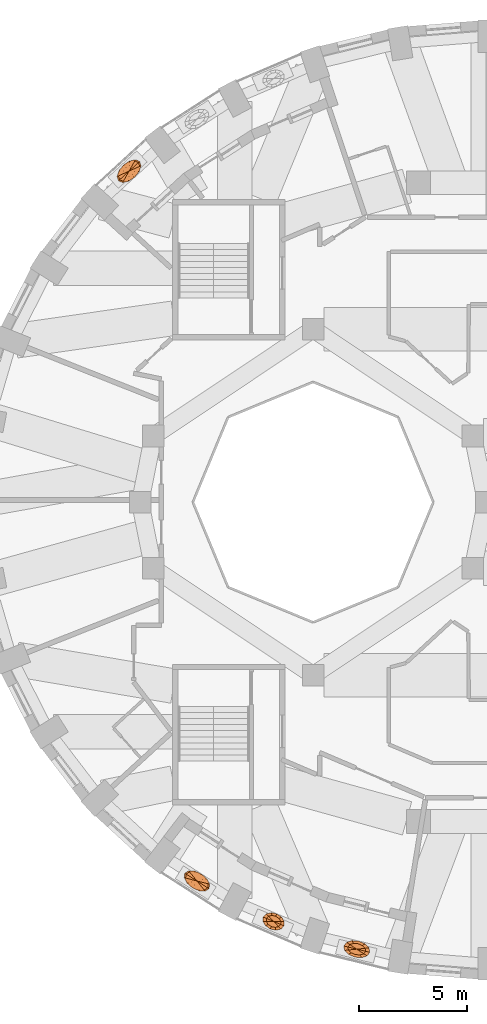
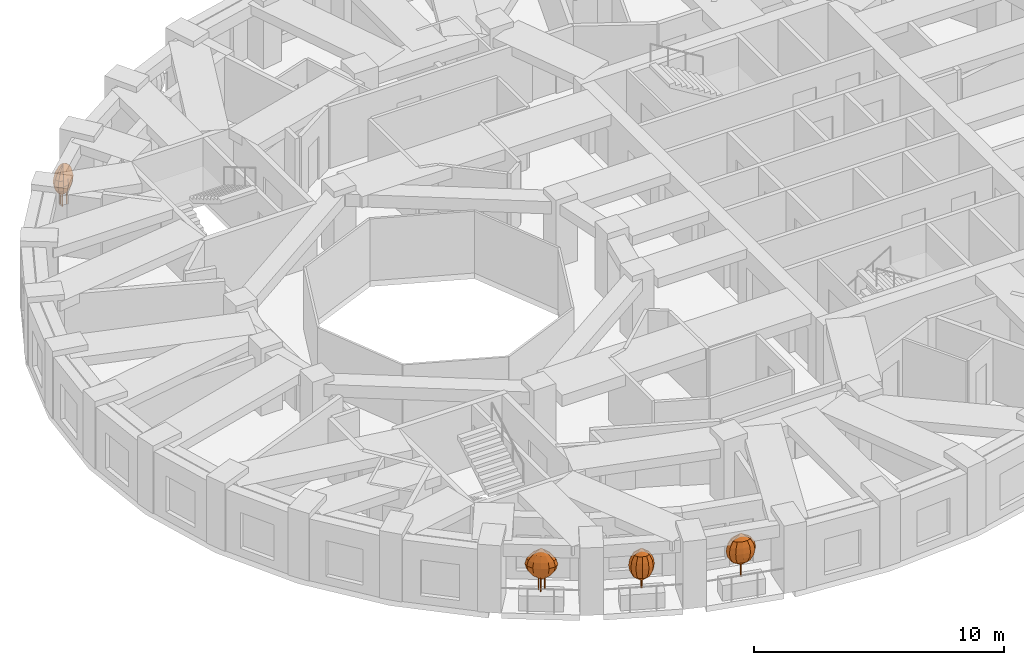
# One storey, part 11 of 12: 4 geographic elements.
"""IFC4 building model written with IfcOpenShell, lengths in metres."""

from ifc_helpers import new_model, si_unit, direction, frame, origin, place, context, subcontext, project, spatial, faceted_brep, material, constituent, constituent_set, type_object, element, save


model = new_model("IFC4")

# Units and contexts
model_context = context("Model", 3, precision=1e-05, world=origin(), true_north=direction((0.0, 1.0)))
body_context = subcontext(model_context, "Body", "Model", "MODEL_VIEW")
ifc_project = project(units=[si_unit("LENGTHUNIT", "METRE"), si_unit("AREAUNIT", "SQUARE_METRE"), si_unit("VOLUMEUNIT", "CUBIC_METRE"), si_unit("PLANEANGLEUNIT", "RADIAN"), si_unit("MASSUNIT", "GRAM", prefix="KILO")], contexts=[model_context])

# Site, building, storey
site_placement = place(None, origin())
site = spatial("IfcSite", under=ifc_project, at=site_placement, CompositionType="ELEMENT")
building_placement = place(site_placement, origin())
building = spatial("IfcBuilding", under=site, at=building_placement, Name="Taillehof Tower", CompositionType="ELEMENT")
storey_placement = place(building_placement, frame((0.0, 0.0, 168.199951171875)))
storey = spatial("IfcBuildingStorey", under=building, at=storey_placement, Name="L47", CompositionType="ELEMENT", Elevation=168.199951171875)

# Geographic elements
ifc_material_1 = material(Name="Tree bark", Category="timber")
ifc_constituent_1 = constituent(ifc_material_1, Name="Trunk", Category="timber")
ifc_material_2 = material(Name="Tree foliage")
ifc_constituent_2 = constituent(ifc_material_2, Name="Crown")
ifc_constituent_set_1 = constituent_set(constituents=[ifc_constituent_1, ifc_constituent_2], Name="Tree TR1 Columnar hornbeam")
geographic_element_type_1 = type_object("IfcGeographicElementType", Name="Tree TR1 Columnar hornbeam", PredefinedType="USERDEFINED", material=ifc_constituent_set_1)
geographic_element_1_placement = place(storey_placement, frame((-5.9794921875, -20.673583984375, 0.75)))
element("IfcGeographicElement", 1, at=geographic_element_1_placement, inside=storey, type_object=geographic_element_type_1, Name="Tree TR1 Columnar hornbeam", ObjectType="TREE", PredefinedType="USERDEFINED", context=body_context, shape_type="Brep", body=[
    faceted_brep([(0.030029296875, 0.0, 0.0), (0.021240234375, 0.021240234375, 0.0), (0.021240234375, 0.021240234375, 1.092529296875), (0.030029296875, 0.0, 1.092529296875), (0.0, 0.030029296875, 0.0), (0.0, 0.030029296875, 1.092529296875), (-0.021240234375, 0.021240234375, 0.0), (-0.021240234375, 0.021240234375, 1.092529296875), (-0.030029296875, 0.0, 0.0), (-0.030029296875, 0.0, 1.092529296875), (-0.021240234375, -0.021240234375, 0.0), (-0.021240234375, -0.021240234375, 1.092529296875), (0.0, -0.030029296875, 0.0), (0.0, -0.030029296875, 1.092529296875), (0.021240234375, -0.021240234375, 0.0), (0.021240234375, -0.021240234375, 1.092529296875)], [[[0, 1, 2, 3]], [[1, 4, 5, 2]], [[4, 6, 7, 5]], [[6, 8, 9, 7]], [[8, 10, 11, 9]], [[10, 12, 13, 11]], [[12, 14, 15, 13]], [[14, 0, 3, 15]], [[14, 12, 10, 8, 6, 4, 1, 0]], [[3, 2, 5, 7, 9, 11, 13, 15]]]),
    faceted_brep([(0.0, 0.0, 0.550048828125), (0.3857421875, 0.0390625, 0.808349609375), (0.40966796875, -0.100341796875, 0.808349609375), (0.25830078125, 0.168212890625, 0.808349609375), (0.061767578125, 0.252197265625, 0.808349609375), (-0.1513671875, 0.2685546875, 0.808349609375), (-0.323974609375, 0.212890625, 0.808349609375), (-0.40966796875, 0.100341796875, 0.808349609375), (-0.3857421875, -0.0390625, 0.808349609375), (-0.25830078125, -0.168212890625, 0.808349609375), (-0.061767578125, -0.252197265625, 0.808349609375), (0.1513671875, -0.2685546875, 0.808349609375), (0.323974609375, -0.212890625, 0.808349609375), (0.521728515625, 0.052978515625, 1.066650390625), (0.55419921875, -0.1357421875, 1.066650390625), (0.349365234375, 0.227294921875, 1.066650390625), (0.08349609375, 0.341064453125, 1.066650390625), (-0.20458984375, 0.36328125, 1.066650390625), (-0.43798828125, 0.2880859375, 1.066650390625), (-0.55419921875, 0.1357421875, 1.066650390625), (-0.521728515625, -0.052978515625, 1.066650390625), (-0.349365234375, -0.227294921875, 1.066650390625), (-0.08349609375, -0.341064453125, 1.066650390625), (0.20458984375, -0.36328125, 1.066650390625), (0.43798828125, -0.2880859375, 1.066650390625), (0.564697265625, 0.05712890625, 1.324951171875), (0.599853515625, -0.14697265625, 1.324951171875), (0.378173828125, 0.24609375, 1.324951171875), (0.090576171875, 0.369140625, 1.324951171875), (-0.221435546875, 0.39306640625, 1.324951171875), (-0.47412109375, 0.311767578125, 1.324951171875), (-0.599853515625, 0.14697265625, 1.324951171875), (-0.564697265625, -0.05712890625, 1.324951171875), (-0.378173828125, -0.24609375, 1.324951171875), (-0.090576171875, -0.369140625, 1.324951171875), (0.221435546875, -0.39306640625, 1.324951171875), (0.47412109375, -0.311767578125, 1.324951171875), (0.521728515625, 0.052978515625, 1.583251953125), (0.55419921875, -0.1357421875, 1.583251953125), (0.349365234375, 0.227294921875, 1.583251953125), (0.08349609375, 0.341064453125, 1.583251953125), (-0.20458984375, 0.36328125, 1.583251953125), (-0.43798828125, 0.2880859375, 1.583251953125), (-0.55419921875, 0.1357421875, 1.583251953125), (-0.521728515625, -0.052978515625, 1.583251953125), (-0.349365234375, -0.227294921875, 1.583251953125), (-0.08349609375, -0.341064453125, 1.583251953125), (0.20458984375, -0.36328125, 1.583251953125), (0.43798828125, -0.2880859375, 1.583251953125), (0.3857421875, 0.0390625, 1.841552734375), (0.40966796875, -0.100341796875, 1.841552734375), (0.25830078125, 0.168212890625, 1.841552734375), (0.061767578125, 0.252197265625, 1.841552734375), (-0.1513671875, 0.2685546875, 1.841552734375), (-0.323974609375, 0.212890625, 1.841552734375), (-0.40966796875, 0.100341796875, 1.841552734375), (-0.3857421875, -0.0390625, 1.841552734375), (-0.25830078125, -0.168212890625, 1.841552734375), (-0.061767578125, -0.252197265625, 1.841552734375), (0.1513671875, -0.2685546875, 1.841552734375), (0.323974609375, -0.212890625, 1.841552734375), (0.0, 0.0, 2.10009765625)], [[[0, 1, 2]], [[0, 3, 1]], [[0, 4, 3]], [[0, 5, 4]], [[0, 6, 5]], [[0, 7, 6]], [[0, 8, 7]], [[0, 9, 8]], [[0, 10, 9]], [[0, 11, 10]], [[0, 12, 11]], [[0, 2, 12]], [[2, 1, 13, 14]], [[1, 3, 15, 13]], [[3, 4, 16, 15]], [[4, 5, 17, 16]], [[5, 6, 18, 17]], [[6, 7, 19, 18]], [[7, 8, 20, 19]], [[8, 9, 21, 20]], [[9, 10, 22, 21]], [[10, 11, 23, 22]], [[11, 12, 24, 23]], [[12, 2, 14, 24]], [[14, 13, 25, 26]], [[13, 15, 27, 25]], [[15, 16, 28, 27]], [[16, 17, 29, 28]], [[17, 18, 30, 29]], [[18, 19, 31, 30]], [[19, 20, 32, 31]], [[20, 21, 33, 32]], [[21, 22, 34, 33]], [[22, 23, 35, 34]], [[23, 24, 36, 35]], [[24, 14, 26, 36]], [[26, 25, 37, 38]], [[25, 27, 39, 37]], [[27, 28, 40, 39]], [[28, 29, 41, 40]], [[29, 30, 42, 41]], [[30, 31, 43, 42]], [[31, 32, 44, 43]], [[32, 33, 45, 44]], [[33, 34, 46, 45]], [[34, 35, 47, 46]], [[35, 36, 48, 47]], [[36, 26, 38, 48]], [[38, 37, 49, 50]], [[37, 39, 51, 49]], [[39, 40, 52, 51]], [[40, 41, 53, 52]], [[41, 42, 54, 53]], [[42, 43, 55, 54]], [[43, 44, 56, 55]], [[44, 45, 57, 56]], [[45, 46, 58, 57]], [[46, 47, 59, 58]], [[47, 48, 60, 59]], [[48, 38, 50, 60]], [[50, 49, 61]], [[49, 51, 61]], [[51, 52, 61]], [[52, 53, 61]], [[53, 54, 61]], [[54, 55, 61]], [[55, 56, 61]], [[56, 57, 61]], [[57, 58, 61]], [[58, 59, 61]], [[59, 60, 61]], [[60, 50, 61]]]),
])
ifc_material_3 = material(Name="Tree bark", Category="timber")
ifc_constituent_3 = constituent(ifc_material_3, Name="Trunk", Category="timber")
ifc_material_4 = material(Name="Tree foliage")
ifc_constituent_4 = constituent(ifc_material_4, Name="Crown")
ifc_constituent_set_2 = constituent_set(constituents=[ifc_constituent_3, ifc_constituent_4], Name="Tree TR2 Fastigiate yew")
geographic_element_type_2 = type_object("IfcGeographicElementType", Name="Tree TR2 Fastigiate yew", PredefinedType="USERDEFINED", material=ifc_constituent_set_2)
geographic_element_2_placement = place(storey_placement, frame((-9.827392578125, -19.392333984375, 0.75)))
element("IfcGeographicElement", 2, at=geographic_element_2_placement, inside=storey, type_object=geographic_element_type_2, Name="Tree TR2 Fastigiate yew", ObjectType="TREE", PredefinedType="USERDEFINED", context=body_context, shape_type="Brep", body=[
    faceted_brep([(0.034912109375, 0.0, 0.0), (0.024658203125, 0.024658203125, 0.0), (0.024658203125, 0.024658203125, 0.909912109375), (0.034912109375, 0.0, 0.909912109375), (0.0, 0.034912109375, 0.0), (0.0, 0.034912109375, 0.909912109375), (-0.024658203125, 0.024658203125, 0.0), (-0.024658203125, 0.024658203125, 0.909912109375), (-0.034912109375, 0.0, 0.0), (-0.034912109375, 0.0, 0.909912109375), (-0.024658203125, -0.024658203125, 0.0), (-0.024658203125, -0.024658203125, 0.909912109375), (0.0, -0.034912109375, 0.0), (0.0, -0.034912109375, 0.909912109375), (0.024658203125, -0.024658203125, 0.0), (0.024658203125, -0.024658203125, 0.909912109375)], [[[0, 1, 2, 3]], [[1, 4, 5, 2]], [[4, 6, 7, 5]], [[6, 8, 9, 7]], [[8, 10, 11, 9]], [[10, 12, 13, 11]], [[12, 14, 15, 13]], [[14, 0, 3, 15]], [[14, 12, 10, 8, 6, 4, 1, 0]], [[3, 2, 5, 7, 9, 11, 13, 15]]]),
    faceted_brep([(0.0, 0.0, 0.35009765625), (0.335205078125, -0.001953125, 0.61669921875), (0.328369140625, -0.14013671875, 0.61669921875), (0.25244140625, 0.13671875, 0.61669921875), (0.101806640625, 0.23876953125, 0.61669921875), (-0.075927734375, 0.27685546875, 0.61669921875), (-0.2333984375, 0.24072265625, 0.61669921875), (-0.328369140625, 0.14013671875, 0.61669921875), (-0.335205078125, 0.001953125, 0.61669921875), (-0.25244140625, -0.13671875, 0.61669921875), (-0.101806640625, -0.23876953125, 0.61669921875), (0.075927734375, -0.27685546875, 0.61669921875), (0.2333984375, -0.24072265625, 0.61669921875), (0.453369140625, -0.002685546875, 0.88330078125), (0.444091796875, -0.189453125, 0.88330078125), (0.34130859375, 0.18505859375, 0.88330078125), (0.1376953125, 0.322998046875, 0.88330078125), (-0.102783203125, 0.374267578125, 0.88330078125), (-0.315673828125, 0.325439453125, 0.88330078125), (-0.444091796875, 0.189453125, 0.88330078125), (-0.453369140625, 0.002685546875, 0.88330078125), (-0.34130859375, -0.18505859375, 0.88330078125), (-0.1376953125, -0.322998046875, 0.88330078125), (0.102783203125, -0.374267578125, 0.88330078125), (0.315673828125, -0.325439453125, 0.88330078125), (0.49072265625, -0.002685546875, 1.14990234375), (0.480712890625, -0.205078125, 1.14990234375), (0.369384765625, 0.2001953125, 1.14990234375), (0.149169921875, 0.349609375, 1.14990234375), (-0.111083984375, 0.4052734375, 1.14990234375), (-0.341552734375, 0.352294921875, 1.14990234375), (-0.480712890625, 0.205078125, 1.14990234375), (-0.49072265625, 0.002685546875, 1.14990234375), (-0.369384765625, -0.2001953125, 1.14990234375), (-0.149169921875, -0.349609375, 1.14990234375), (0.111083984375, -0.4052734375, 1.14990234375), (0.341552734375, -0.352294921875, 1.14990234375), (0.453369140625, -0.002685546875, 1.416748046875), (0.444091796875, -0.189453125, 1.416748046875), (0.34130859375, 0.18505859375, 1.416748046875), (0.1376953125, 0.322998046875, 1.416748046875), (-0.102783203125, 0.374267578125, 1.416748046875), (-0.315673828125, 0.325439453125, 1.416748046875), (-0.444091796875, 0.189453125, 1.416748046875), (-0.453369140625, 0.002685546875, 1.416748046875), (-0.34130859375, -0.18505859375, 1.416748046875), (-0.1376953125, -0.322998046875, 1.416748046875), (0.102783203125, -0.374267578125, 1.416748046875), (0.315673828125, -0.325439453125, 1.416748046875), (0.335205078125, -0.001953125, 1.683349609375), (0.328369140625, -0.14013671875, 1.683349609375), (0.25244140625, 0.13671875, 1.683349609375), (0.101806640625, 0.23876953125, 1.683349609375), (-0.075927734375, 0.27685546875, 1.683349609375), (-0.2333984375, 0.24072265625, 1.683349609375), (-0.328369140625, 0.14013671875, 1.683349609375), (-0.335205078125, 0.001953125, 1.683349609375), (-0.25244140625, -0.13671875, 1.683349609375), (-0.101806640625, -0.23876953125, 1.683349609375), (0.075927734375, -0.27685546875, 1.683349609375), (0.2333984375, -0.24072265625, 1.683349609375), (0.0, 0.0, 1.949951171875)], [[[0, 1, 2]], [[0, 3, 1]], [[0, 4, 3]], [[0, 5, 4]], [[0, 6, 5]], [[0, 7, 6]], [[0, 8, 7]], [[0, 9, 8]], [[0, 10, 9]], [[0, 11, 10]], [[0, 12, 11]], [[0, 2, 12]], [[2, 1, 13, 14]], [[1, 3, 15, 13]], [[3, 4, 16, 15]], [[4, 5, 17, 16]], [[5, 6, 18, 17]], [[6, 7, 19, 18]], [[7, 8, 20, 19]], [[8, 9, 21, 20]], [[9, 10, 22, 21]], [[10, 11, 23, 22]], [[11, 12, 24, 23]], [[12, 2, 14, 24]], [[14, 13, 25, 26]], [[13, 15, 27, 25]], [[15, 16, 28, 27]], [[16, 17, 29, 28]], [[17, 18, 30, 29]], [[18, 19, 31, 30]], [[19, 20, 32, 31]], [[20, 21, 33, 32]], [[21, 22, 34, 33]], [[22, 23, 35, 34]], [[23, 24, 36, 35]], [[24, 14, 26, 36]], [[26, 25, 37, 38]], [[25, 27, 39, 37]], [[27, 28, 40, 39]], [[28, 29, 41, 40]], [[29, 30, 42, 41]], [[30, 31, 43, 42]], [[31, 32, 44, 43]], [[32, 33, 45, 44]], [[33, 34, 46, 45]], [[34, 35, 47, 46]], [[35, 36, 48, 47]], [[36, 26, 38, 48]], [[38, 37, 49, 50]], [[37, 39, 51, 49]], [[39, 40, 52, 51]], [[40, 41, 53, 52]], [[41, 42, 54, 53]], [[42, 43, 55, 54]], [[43, 44, 56, 55]], [[44, 45, 57, 56]], [[45, 46, 58, 57]], [[46, 47, 59, 58]], [[47, 48, 60, 59]], [[48, 38, 50, 60]], [[50, 49, 61]], [[49, 51, 61]], [[51, 52, 61]], [[52, 53, 61]], [[53, 54, 61]], [[54, 55, 61]], [[55, 56, 61]], [[56, 57, 61]], [[57, 58, 61]], [[58, 59, 61]], [[59, 60, 61]], [[60, 50, 61]]]),
])
ifc_material_5 = material(Name="Tree bark", Category="timber")
ifc_constituent_5 = constituent(ifc_material_5, Name="Trunk", Category="timber")
ifc_material_6 = material(Name="Tree foliage")
ifc_constituent_6 = constituent(ifc_material_6, Name="Crown")
ifc_constituent_set_3 = constituent_set(constituents=[ifc_constituent_5, ifc_constituent_6], Name="Tree TR3 Multi-stem serviceberry")
geographic_element_type_3 = type_object("IfcGeographicElementType", Name="Tree TR3 Multi-stem serviceberry", PredefinedType="USERDEFINED", material=ifc_constituent_set_3)
geographic_element_3_placement = place(storey_placement, frame((-16.51220703125, 15.31005859375, 0.75)))
element("IfcGeographicElement", 3, at=geographic_element_3_placement, inside=storey, type_object=geographic_element_type_3, Name="Tree TR3 Multi-stem serviceberry", ObjectType="TREE", PredefinedType="USERDEFINED", context=body_context, shape_type="Brep", body=[
    faceted_brep([(0.195068359375, 0.0, 0.0), (0.186767578125, 0.0205078125, 0.0), (0.186767578125, 0.0205078125, 1.04248046875), (0.195068359375, 0.0, 1.04248046875), (0.166259765625, 0.02880859375, 0.0), (0.166259765625, 0.02880859375, 1.04248046875), (0.145751953125, 0.0205078125, 0.0), (0.145751953125, 0.0205078125, 1.04248046875), (0.137451171875, 0.0, 0.0), (0.137451171875, 0.0, 1.04248046875), (0.145751953125, -0.0205078125, 0.0), (0.145751953125, -0.0205078125, 1.04248046875), (0.166259765625, -0.02880859375, 0.0), (0.166259765625, -0.02880859375, 1.04248046875), (0.186767578125, -0.0205078125, 0.0), (0.186767578125, -0.0205078125, 1.04248046875)], [[[0, 1, 2, 3]], [[1, 4, 5, 2]], [[4, 6, 7, 5]], [[6, 8, 9, 7]], [[8, 10, 11, 9]], [[10, 12, 13, 11]], [[12, 14, 15, 13]], [[14, 0, 3, 15]], [[14, 12, 10, 8, 6, 4, 1, 0]], [[3, 2, 5, 7, 9, 11, 13, 15]]]),
    faceted_brep([(-0.05419921875, 0.082275390625, 0.0), (-0.062744140625, 0.102783203125, 0.0), (-0.062744140625, 0.102783203125, 1.04248046875), (-0.05419921875, 0.082275390625, 1.04248046875), (-0.0830078125, 0.111083984375, 0.0), (-0.0830078125, 0.111083984375, 1.04248046875), (-0.103515625, 0.102783203125, 0.0), (-0.103515625, 0.102783203125, 1.04248046875), (-0.112060546875, 0.082275390625, 0.0), (-0.112060546875, 0.082275390625, 1.04248046875), (-0.103515625, 0.061767578125, 0.0), (-0.103515625, 0.061767578125, 1.04248046875), (-0.0830078125, 0.053466796875, 0.0), (-0.0830078125, 0.053466796875, 1.04248046875), (-0.062744140625, 0.061767578125, 0.0), (-0.062744140625, 0.061767578125, 1.04248046875)], [[[0, 1, 2, 3]], [[1, 4, 5, 2]], [[4, 6, 7, 5]], [[6, 8, 9, 7]], [[8, 10, 11, 9]], [[10, 12, 13, 11]], [[12, 14, 15, 13]], [[14, 0, 3, 15]], [[14, 12, 10, 8, 6, 4, 1, 0]], [[3, 2, 5, 7, 9, 11, 13, 15]]]),
    faceted_brep([(-0.05419921875, -0.082275390625, 0.0), (-0.062744140625, -0.061767578125, 0.0), (-0.062744140625, -0.061767578125, 1.04248046875), (-0.05419921875, -0.082275390625, 1.04248046875), (-0.0830078125, -0.053466796875, 0.0), (-0.0830078125, -0.053466796875, 1.04248046875), (-0.103515625, -0.061767578125, 0.0), (-0.103515625, -0.061767578125, 1.04248046875), (-0.112060546875, -0.082275390625, 0.0), (-0.112060546875, -0.082275390625, 1.04248046875), (-0.103515625, -0.102783203125, 0.0), (-0.103515625, -0.102783203125, 1.04248046875), (-0.0830078125, -0.111083984375, 0.0), (-0.0830078125, -0.111083984375, 1.04248046875), (-0.062744140625, -0.102783203125, 0.0), (-0.062744140625, -0.102783203125, 1.04248046875)], [[[0, 1, 2, 3]], [[1, 4, 5, 2]], [[4, 6, 7, 5]], [[6, 8, 9, 7]], [[8, 10, 11, 9]], [[10, 12, 13, 11]], [[12, 14, 15, 13]], [[14, 0, 3, 15]], [[14, 12, 10, 8, 6, 4, 1, 0]], [[3, 2, 5, 7, 9, 11, 13, 15]]]),
    faceted_brep([(0.0, 0.0, 0.5), (-0.17041015625, -0.3037109375, 0.75830078125), (-0.28173828125, -0.2578125, 0.75830078125), (-0.013427734375, -0.268310546875, 0.75830078125), (0.147216796875, -0.1611328125, 0.75830078125), (0.2685546875, -0.010498046875, 0.75830078125), (0.317626953125, 0.142822265625, 0.75830078125), (0.28173828125, 0.2578125, 0.75830078125), (0.17041015625, 0.3037109375, 0.75830078125), (0.013427734375, 0.268310546875, 0.75830078125), (-0.147216796875, 0.1611328125, 0.75830078125), (-0.2685546875, 0.010498046875, 0.75830078125), (-0.317626953125, -0.142822265625, 0.75830078125), (-0.264404296875, -0.471435546875, 1.0166015625), (-0.437255859375, -0.400146484375, 1.0166015625), (-0.020751953125, -0.41650390625, 1.0166015625), (0.228515625, -0.25, 1.0166015625), (0.416748046875, -0.016357421875, 1.0166015625), (0.492919921875, 0.221435546875, 1.0166015625), (0.437255859375, 0.400146484375, 1.0166015625), (0.264404296875, 0.471435546875, 1.0166015625), (0.020751953125, 0.41650390625, 1.0166015625), (-0.228515625, 0.25, 1.0166015625), (-0.416748046875, 0.016357421875, 1.0166015625), (-0.492919921875, -0.221435546875, 1.0166015625), (-0.296630859375, -0.52880859375, 1.27490234375), (-0.49072265625, -0.448974609375, 1.27490234375), (-0.023193359375, -0.46728515625, 1.27490234375), (0.256591796875, -0.2802734375, 1.27490234375), (0.467529296875, -0.018310546875, 1.27490234375), (0.55322265625, 0.24853515625, 1.27490234375), (0.49072265625, 0.448974609375, 1.27490234375), (0.296630859375, 0.52880859375, 1.27490234375), (0.023193359375, 0.46728515625, 1.27490234375), (-0.256591796875, 0.2802734375, 1.27490234375), (-0.467529296875, 0.018310546875, 1.27490234375), (-0.55322265625, -0.24853515625, 1.27490234375), (-0.264404296875, -0.471435546875, 1.533447265625), (-0.437255859375, -0.400146484375, 1.533447265625), (-0.020751953125, -0.41650390625, 1.533447265625), (0.228515625, -0.25, 1.533447265625), (0.416748046875, -0.016357421875, 1.533447265625), (0.492919921875, 0.221435546875, 1.533447265625), (0.437255859375, 0.400146484375, 1.533447265625), (0.264404296875, 0.471435546875, 1.533447265625), (0.020751953125, 0.41650390625, 1.533447265625), (-0.228515625, 0.25, 1.533447265625), (-0.416748046875, 0.016357421875, 1.533447265625), (-0.492919921875, -0.221435546875, 1.533447265625), (-0.17041015625, -0.3037109375, 1.791748046875), (-0.28173828125, -0.2578125, 1.791748046875), (-0.013427734375, -0.268310546875, 1.791748046875), (0.147216796875, -0.1611328125, 1.791748046875), (0.2685546875, -0.010498046875, 1.791748046875), (0.317626953125, 0.142822265625, 1.791748046875), (0.28173828125, 0.2578125, 1.791748046875), (0.17041015625, 0.3037109375, 1.791748046875), (0.013427734375, 0.268310546875, 1.791748046875), (-0.147216796875, 0.1611328125, 1.791748046875), (-0.2685546875, 0.010498046875, 1.791748046875), (-0.317626953125, -0.142822265625, 1.791748046875), (0.0, 0.0, 2.050048828125)], [[[0, 1, 2]], [[0, 3, 1]], [[0, 4, 3]], [[0, 5, 4]], [[0, 6, 5]], [[0, 7, 6]], [[0, 8, 7]], [[0, 9, 8]], [[0, 10, 9]], [[0, 11, 10]], [[0, 12, 11]], [[0, 2, 12]], [[2, 1, 13, 14]], [[1, 3, 15, 13]], [[3, 4, 16, 15]], [[4, 5, 17, 16]], [[5, 6, 18, 17]], [[6, 7, 19, 18]], [[7, 8, 20, 19]], [[8, 9, 21, 20]], [[9, 10, 22, 21]], [[10, 11, 23, 22]], [[11, 12, 24, 23]], [[12, 2, 14, 24]], [[14, 13, 25, 26]], [[13, 15, 27, 25]], [[15, 16, 28, 27]], [[16, 17, 29, 28]], [[17, 18, 30, 29]], [[18, 19, 31, 30]], [[19, 20, 32, 31]], [[20, 21, 33, 32]], [[21, 22, 34, 33]], [[22, 23, 35, 34]], [[23, 24, 36, 35]], [[24, 14, 26, 36]], [[26, 25, 37, 38]], [[25, 27, 39, 37]], [[27, 28, 40, 39]], [[28, 29, 41, 40]], [[29, 30, 42, 41]], [[30, 31, 43, 42]], [[31, 32, 44, 43]], [[32, 33, 45, 44]], [[33, 34, 46, 45]], [[34, 35, 47, 46]], [[35, 36, 48, 47]], [[36, 26, 38, 48]], [[38, 37, 49, 50]], [[37, 39, 51, 49]], [[39, 40, 52, 51]], [[40, 41, 53, 52]], [[41, 42, 54, 53]], [[42, 43, 55, 54]], [[43, 44, 56, 55]], [[44, 45, 57, 56]], [[45, 46, 58, 57]], [[46, 47, 59, 58]], [[47, 48, 60, 59]], [[48, 38, 50, 60]], [[50, 49, 61]], [[49, 51, 61]], [[51, 52, 61]], [[52, 53, 61]], [[53, 54, 61]], [[54, 55, 61]], [[55, 56, 61]], [[56, 57, 61]], [[57, 58, 61]], [[58, 59, 61]], [[59, 60, 61]], [[60, 50, 61]]]),
])
geographic_element_4_placement = place(storey_placement, frame((-13.374267578125, -17.518798828125, 0.75)))
element("IfcGeographicElement", 4, at=geographic_element_4_placement, inside=storey, type_object=geographic_element_type_3, Name="Tree TR3 Multi-stem serviceberry", ObjectType="TREE", PredefinedType="USERDEFINED", context=body_context, shape_type="Brep", body=[
    faceted_brep([(0.195068359375, 0.0, 0.0), (0.186767578125, 0.0205078125, 0.0), (0.186767578125, 0.0205078125, 1.04248046875), (0.195068359375, 0.0, 1.04248046875), (0.166259765625, 0.02880859375, 0.0), (0.166259765625, 0.02880859375, 1.04248046875), (0.145751953125, 0.0205078125, 0.0), (0.145751953125, 0.0205078125, 1.04248046875), (0.137451171875, 0.0, 0.0), (0.137451171875, 0.0, 1.04248046875), (0.145751953125, -0.0205078125, 0.0), (0.145751953125, -0.0205078125, 1.04248046875), (0.166259765625, -0.02880859375, 0.0), (0.166259765625, -0.02880859375, 1.04248046875), (0.186767578125, -0.0205078125, 0.0), (0.186767578125, -0.0205078125, 1.04248046875)], [[[0, 1, 2, 3]], [[1, 4, 5, 2]], [[4, 6, 7, 5]], [[6, 8, 9, 7]], [[8, 10, 11, 9]], [[10, 12, 13, 11]], [[12, 14, 15, 13]], [[14, 0, 3, 15]], [[14, 12, 10, 8, 6, 4, 1, 0]], [[3, 2, 5, 7, 9, 11, 13, 15]]]),
    faceted_brep([(-0.05419921875, 0.082275390625, 0.0), (-0.062744140625, 0.102783203125, 0.0), (-0.062744140625, 0.102783203125, 1.04248046875), (-0.05419921875, 0.082275390625, 1.04248046875), (-0.0830078125, 0.111083984375, 0.0), (-0.0830078125, 0.111083984375, 1.04248046875), (-0.103515625, 0.102783203125, 0.0), (-0.103515625, 0.102783203125, 1.04248046875), (-0.112060546875, 0.082275390625, 0.0), (-0.112060546875, 0.082275390625, 1.04248046875), (-0.103515625, 0.061767578125, 0.0), (-0.103515625, 0.061767578125, 1.04248046875), (-0.0830078125, 0.053466796875, 0.0), (-0.0830078125, 0.053466796875, 1.04248046875), (-0.062744140625, 0.061767578125, 0.0), (-0.062744140625, 0.061767578125, 1.04248046875)], [[[0, 1, 2, 3]], [[1, 4, 5, 2]], [[4, 6, 7, 5]], [[6, 8, 9, 7]], [[8, 10, 11, 9]], [[10, 12, 13, 11]], [[12, 14, 15, 13]], [[14, 0, 3, 15]], [[14, 12, 10, 8, 6, 4, 1, 0]], [[3, 2, 5, 7, 9, 11, 13, 15]]]),
    faceted_brep([(-0.05419921875, -0.082275390625, 0.0), (-0.062744140625, -0.061767578125, 0.0), (-0.062744140625, -0.061767578125, 1.04248046875), (-0.05419921875, -0.082275390625, 1.04248046875), (-0.0830078125, -0.053466796875, 0.0), (-0.0830078125, -0.053466796875, 1.04248046875), (-0.103515625, -0.061767578125, 0.0), (-0.103515625, -0.061767578125, 1.04248046875), (-0.112060546875, -0.082275390625, 0.0), (-0.112060546875, -0.082275390625, 1.04248046875), (-0.103515625, -0.102783203125, 0.0), (-0.103515625, -0.102783203125, 1.04248046875), (-0.0830078125, -0.111083984375, 0.0), (-0.0830078125, -0.111083984375, 1.04248046875), (-0.062744140625, -0.102783203125, 0.0), (-0.062744140625, -0.102783203125, 1.04248046875)], [[[0, 1, 2, 3]], [[1, 4, 5, 2]], [[4, 6, 7, 5]], [[6, 8, 9, 7]], [[8, 10, 11, 9]], [[10, 12, 13, 11]], [[12, 14, 15, 13]], [[14, 0, 3, 15]], [[14, 12, 10, 8, 6, 4, 1, 0]], [[3, 2, 5, 7, 9, 11, 13, 15]]]),
    faceted_brep([(0.0, 0.0, 0.5), (0.33740234375, -0.08642578125, 0.75830078125), (0.321533203125, -0.2060546875, 0.75830078125), (0.2626953125, 0.05615234375, 0.75830078125), (0.11767578125, 0.183837890625, 0.75830078125), (-0.058837890625, 0.26220703125, 0.75830078125), (-0.2197265625, 0.270263671875, 0.75830078125), (-0.321533203125, 0.2060546875, 0.75830078125), (-0.33740234375, 0.08642578125, 0.75830078125), (-0.2626953125, -0.05615234375, 0.75830078125), (-0.11767578125, -0.183837890625, 0.75830078125), (0.058837890625, -0.26220703125, 0.75830078125), (0.2197265625, -0.270263671875, 0.75830078125), (0.523681640625, -0.13427734375, 1.0166015625), (0.4990234375, -0.31982421875, 1.0166015625), (0.40771484375, 0.087158203125, 1.0166015625), (0.1826171875, 0.28515625, 1.0166015625), (-0.09130859375, 0.40673828125, 1.0166015625), (-0.3408203125, 0.41943359375, 1.0166015625), (-0.4990234375, 0.31982421875, 1.0166015625), (-0.523681640625, 0.13427734375, 1.0166015625), (-0.40771484375, -0.087158203125, 1.0166015625), (-0.1826171875, -0.28515625, 1.0166015625), (0.09130859375, -0.40673828125, 1.0166015625), (0.3408203125, -0.41943359375, 1.0166015625), (0.58740234375, -0.150634765625, 1.27490234375), (0.56005859375, -0.358642578125, 1.27490234375), (0.45751953125, 0.09765625, 1.27490234375), (0.205078125, 0.320068359375, 1.27490234375), (-0.1025390625, 0.45654296875, 1.27490234375), (-0.382568359375, 0.470703125, 1.27490234375), (-0.56005859375, 0.358642578125, 1.27490234375), (-0.58740234375, 0.150634765625, 1.27490234375), (-0.45751953125, -0.09765625, 1.27490234375), (-0.205078125, -0.320068359375, 1.27490234375), (0.1025390625, -0.45654296875, 1.27490234375), (0.382568359375, -0.470703125, 1.27490234375), (0.523681640625, -0.13427734375, 1.533447265625), (0.4990234375, -0.31982421875, 1.533447265625), (0.40771484375, 0.087158203125, 1.533447265625), (0.1826171875, 0.28515625, 1.533447265625), (-0.09130859375, 0.40673828125, 1.533447265625), (-0.3408203125, 0.41943359375, 1.533447265625), (-0.4990234375, 0.31982421875, 1.533447265625), (-0.523681640625, 0.13427734375, 1.533447265625), (-0.40771484375, -0.087158203125, 1.533447265625), (-0.1826171875, -0.28515625, 1.533447265625), (0.09130859375, -0.40673828125, 1.533447265625), (0.3408203125, -0.41943359375, 1.533447265625), (0.33740234375, -0.08642578125, 1.791748046875), (0.321533203125, -0.2060546875, 1.791748046875), (0.2626953125, 0.05615234375, 1.791748046875), (0.11767578125, 0.183837890625, 1.791748046875), (-0.058837890625, 0.26220703125, 1.791748046875), (-0.2197265625, 0.270263671875, 1.791748046875), (-0.321533203125, 0.2060546875, 1.791748046875), (-0.33740234375, 0.08642578125, 1.791748046875), (-0.2626953125, -0.05615234375, 1.791748046875), (-0.11767578125, -0.183837890625, 1.791748046875), (0.058837890625, -0.26220703125, 1.791748046875), (0.2197265625, -0.270263671875, 1.791748046875), (0.0, 0.0, 2.050048828125)], [[[0, 1, 2]], [[0, 3, 1]], [[0, 4, 3]], [[0, 5, 4]], [[0, 6, 5]], [[0, 7, 6]], [[0, 8, 7]], [[0, 9, 8]], [[0, 10, 9]], [[0, 11, 10]], [[0, 12, 11]], [[0, 2, 12]], [[2, 1, 13, 14]], [[1, 3, 15, 13]], [[3, 4, 16, 15]], [[4, 5, 17, 16]], [[5, 6, 18, 17]], [[6, 7, 19, 18]], [[7, 8, 20, 19]], [[8, 9, 21, 20]], [[9, 10, 22, 21]], [[10, 11, 23, 22]], [[11, 12, 24, 23]], [[12, 2, 14, 24]], [[14, 13, 25, 26]], [[13, 15, 27, 25]], [[15, 16, 28, 27]], [[16, 17, 29, 28]], [[17, 18, 30, 29]], [[18, 19, 31, 30]], [[19, 20, 32, 31]], [[20, 21, 33, 32]], [[21, 22, 34, 33]], [[22, 23, 35, 34]], [[23, 24, 36, 35]], [[24, 14, 26, 36]], [[26, 25, 37, 38]], [[25, 27, 39, 37]], [[27, 28, 40, 39]], [[28, 29, 41, 40]], [[29, 30, 42, 41]], [[30, 31, 43, 42]], [[31, 32, 44, 43]], [[32, 33, 45, 44]], [[33, 34, 46, 45]], [[34, 35, 47, 46]], [[35, 36, 48, 47]], [[36, 26, 38, 48]], [[38, 37, 49, 50]], [[37, 39, 51, 49]], [[39, 40, 52, 51]], [[40, 41, 53, 52]], [[41, 42, 54, 53]], [[42, 43, 55, 54]], [[43, 44, 56, 55]], [[44, 45, 57, 56]], [[45, 46, 58, 57]], [[46, 47, 59, 58]], [[47, 48, 60, 59]], [[48, 38, 50, 60]], [[50, 49, 61]], [[49, 51, 61]], [[51, 52, 61]], [[52, 53, 61]], [[53, 54, 61]], [[54, 55, 61]], [[55, 56, 61]], [[56, 57, 61]], [[57, 58, 61]], [[58, 59, 61]], [[59, 60, 61]], [[60, 50, 61]]]),
])

save(model, "model.ifc")
